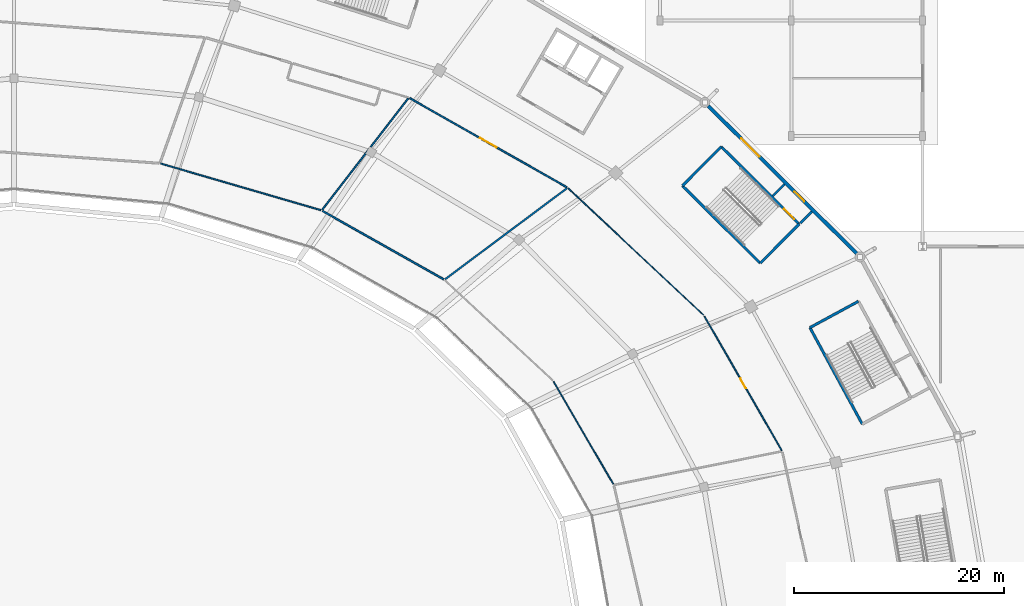
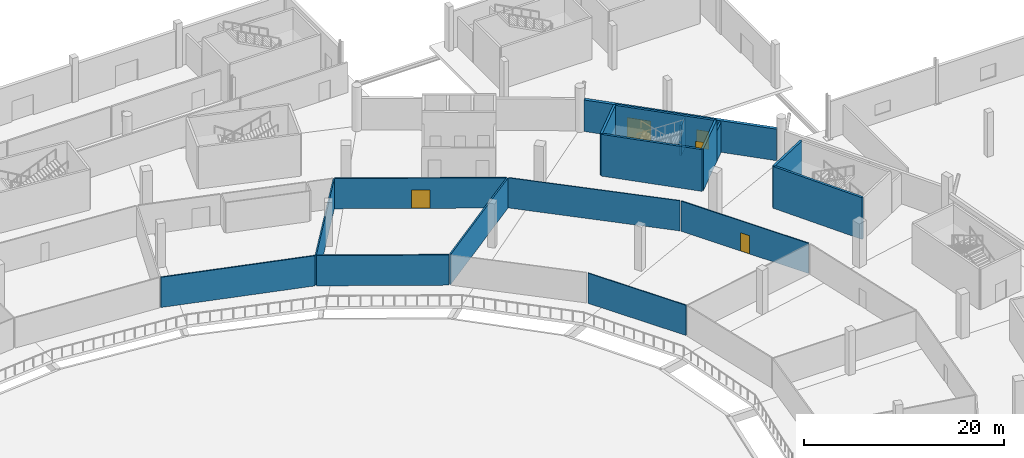
# One storey, part 47 of 82: 17 walls, 5 doors, 5 openings.
"""IFC4 building model written with IfcOpenShell, lengths in metres."""

from ifc_helpers import new_model, si_unit, direction, frame, frame_2d, origin, place, context, subcontext, project, spatial, rectangle, extrude, material, layer, layer_set, type_object, element, fill, save


model = new_model("IFC4")

# Units and contexts
model_context = context("Model", 3, precision=1e-05, world=origin(), true_north=direction((0.0, 1.0)))
body_context = subcontext(model_context, "Body", "Model", "MODEL_VIEW")
ifc_project = project(units=[si_unit("LENGTHUNIT", "METRE"), si_unit("AREAUNIT", "SQUARE_METRE"), si_unit("VOLUMEUNIT", "CUBIC_METRE"), si_unit("PLANEANGLEUNIT", "RADIAN"), si_unit("MASSUNIT", "GRAM", prefix="KILO")], contexts=[model_context])

# Site, building, storey
site_placement = place(None, origin())
site = spatial("IfcSite", under=ifc_project, at=site_placement, CompositionType="ELEMENT")
building_placement = place(site_placement, origin())
building = spatial("IfcBuilding", under=site, at=building_placement, Name="Zlatoyarsky Gate Stadium", CompositionType="ELEMENT")
storey_placement = place(building_placement, origin())
storey = spatial("IfcBuildingStorey", under=building, at=storey_placement, Name="L00", CompositionType="ELEMENT", Elevation=0.0)

# Wall
ifc_material_1 = material(Name="Double-stud acoustic gypsum partition", Category="gypsum")
ifc_layer_1 = layer(ifc_material_1, 0.169921875)
ifc_layer_set_1 = layer_set([ifc_layer_1], Name="Double-stud acoustic gypsum partition")
wall_type_1 = type_object("IfcWallType", Name="ACOUSTIC BROADCAST STUDIO WALL 170", PredefinedType="PARTITIONING", material=ifc_layer_set_1)
wall_1_placement = place(storey_placement, frame((152.0380859375, 113.369140625, 0.0), z_axis=(0.0, 0.0, 1.0), x_axis=(0.801214469287, 0.598377284165, 0.0)))
element("IfcWall", 1, at=wall_1_placement, inside=storey, type_object=wall_type_1, Name="L00 interior partition PRT-L00-IRD-03", PredefinedType="PARTITIONING", context=body_context, shape_type="SweptSolid", body=[
    extrude(rectangle(XDim=14.478515625, YDim=0.169921875, at=frame_2d((7.2392578125, 0.0))), origin(), (0.0, 0.0, 1.0), 3.68994140625),
])

# Wall, opening, door
ifc_material_2 = material(Name="Anodised aluminium acoustic operable wall", Category="aluminium")
ifc_layer_2 = layer(ifc_material_2, 0.114990234375)
ifc_layer_set_2 = layer_set([ifc_layer_2], Name="Anodised aluminium acoustic operable wall")
wall_type_2 = type_object("IfcWallType", Name="ACOUSTIC OPERABLE SUITE WALL 115", PredefinedType="MOVABLE", material=ifc_layer_set_2)
wall_2_placement = place(storey_placement, frame((184.08544921875, 97.0673828125, 0.0), z_axis=(0.0, 0.0, 1.0), x_axis=(-0.498943700715, 0.866634400146, 0.0)))
wall_2 = element("IfcWall", 2, at=wall_2_placement, inside=storey, type_object=wall_type_2, Name="L00 interior partition PRT-L00-ICC-01", PredefinedType="MOVABLE", context=body_context, shape_type="SweptSolid", body=[
    extrude(rectangle(XDim=14.731689453125, YDim=0.114990234375, at=frame_2d((7.36572265625, 0.0))), origin(), (0.0, 0.0, 1.0), 3.68994140625),
])
opening_1_placement = place(wall_2_placement, frame((6.825927734375, 0.0, 0.0)))
opening_1 = element("IfcOpeningElement", 3, at=opening_1_placement, cuts=wall_2, Name="Opening D-L00-108", PredefinedType="OPENING", context=body_context, shape_type="SweptSolid", body=[
    extrude(rectangle(XDim=1.080078125, YDim=2.239990234375, at=frame_2d((0.5400390625, 1.1201171875))), frame((0.0, 0.0673828125, 0.0), z_axis=(0.0, -1.0, 0.0), x_axis=(1.0, 0.0, 0.0)), (0.0, 0.0, 1.0), 0.135009765625),
])
ifc_material_3 = material(Name="Solid-core oak veneer acoustic door", Category="wood")
door_type_1 = type_object("IfcDoorType", Name="ACOUSTIC INTERIOR DOOR 1080X2240", OperationType="NOTDEFINED", PredefinedType="DOOR", material=ifc_material_3)
door_1_placement = place(opening_1_placement, origin())
door_1 = element("IfcDoor", 4, at=door_1_placement, inside=storey, type_object=door_type_1, Name="L00 room door D-L00-108", OperationType="SINGLE_SWING_RIGHT", OverallHeight=2.239990234375, OverallWidth=1.080078125, PredefinedType="DOOR", context=body_context, shape_type="SweptSolid", body=[
    extrude(rectangle(XDim=1.080078125, YDim=2.239990234375, at=frame_2d((0.5400390625, 1.1201171875))), frame((0.0, 0.02490234375, 0.0), z_axis=(0.0, -1.0, 0.0), x_axis=(1.0, 0.0, 0.0)), (0.0, 0.0, 1.0), 0.050048828125),
])
fill(opening_1, door_1)

# Wall
ifc_material_4 = material(Name="Moisture-resistant masonry partition", Category="masonry")
ifc_layer_3 = layer(ifc_material_4, 0.139892578125)
ifc_layer_set_3 = layer_set([ifc_layer_3], Name="Moisture-resistant masonry partition")
wall_type_3 = type_object("IfcWallType", Name="ATHLETE CHANGING BLOCK PARTITION 140", PredefinedType="PARTITIONING", material=ifc_layer_set_3)
wall_3_placement = place(storey_placement, frame((140.34130859375, 119.98681640625, 0.0), z_axis=(0.0, 0.0, 1.0), x_axis=(0.61155793071, 0.791199657094, 0.0)))
element("IfcWall", 5, at=wall_3_placement, inside=storey, type_object=wall_type_3, Name="L00 interior partition PRT-L00-IRD-04", PredefinedType="PARTITIONING", context=body_context, shape_type="SweptSolid", body=[
    extrude(rectangle(XDim=13.401611328125, YDim=0.139892578125, at=frame_2d((6.70068359375, 0.0))), origin(), (0.0, 0.0, 1.0), 3.68994140625),
])

# Wall, opening, door
ifc_material_5 = material(Name="Metal-stud gypsum partition", Category="gypsum")
ifc_layer_4 = layer(ifc_material_5, 0.14990234375)
ifc_layer_set_4 = layer_set([ifc_layer_4], Name="Metal-stud gypsum partition")
wall_type_4 = type_object("IfcWallType", Name="CONCOURSE CORRIDOR PARTITION 150", PredefinedType="PARTITIONING", material=ifc_layer_set_4)
wall_4_placement = place(storey_placement, frame((163.632568359375, 122.12548828125, 0.0), z_axis=(0.0, 0.0, 1.0), x_axis=(-0.869844043342, 0.493326808781, 0.0)))
wall_4 = element("IfcWall", 6, at=wall_4_placement, inside=storey, type_object=wall_type_4, Name="L00 interior partition PRT-L00-ICC-03", PredefinedType="PARTITIONING", context=body_context, shape_type="SweptSolid", body=[
    extrude(rectangle(XDim=17.209716796875, YDim=0.14990234375, at=frame_2d((8.60498046875, 0.0))), origin(), (0.0, 0.0, 1.0), 3.68994140625),
])
opening_2_placement = place(wall_4_placement, frame((7.69482421875, 0.0, 0.0)))
opening_2 = element("IfcOpeningElement", 7, at=opening_2_placement, cuts=wall_4, Name="Opening D-L00-112", PredefinedType="OPENING", context=body_context, shape_type="SweptSolid", body=[
    extrude(rectangle(XDim=1.820068359375, YDim=2.239990234375, at=frame_2d((0.91015625, 1.1201171875))), frame((0.0, 0.0849609375, 0.0), z_axis=(0.0, -1.0, 0.0), x_axis=(1.0, 0.0, 0.0)), (0.0, 0.0, 1.0), 0.169921875),
])
ifc_material_6 = material(Name="Powder-coated steel fire door", Category="steel")
door_type_2 = type_object("IfcDoorType", Name="ACOUSTIC INTERIOR DOOR 1820X2240", OperationType="NOTDEFINED", PredefinedType="DOOR", material=ifc_material_6)
door_2_placement = place(opening_2_placement, origin())
door_2 = element("IfcDoor", 8, at=door_2_placement, inside=storey, type_object=door_type_2, Name="L00 room door D-L00-112", OperationType="SINGLE_SWING_LEFT", OverallHeight=2.239990234375, OverallWidth=1.820068359375, PredefinedType="DOOR", context=body_context, shape_type="SweptSolid", body=[
    extrude(rectangle(XDim=1.820068359375, YDim=2.239990234375, at=frame_2d((0.91015625, 1.1201171875))), frame((0.0, 0.02490234375, 0.0), z_axis=(0.0, -1.0, 0.0), x_axis=(1.0, 0.0, 0.0)), (0.0, 0.0, 1.0), 0.050048828125),
])
fill(opening_2, door_2)

# Wall
ifc_material_7 = material(Name="Concrete C40/50", Category="concrete")
ifc_layer_5 = layer(ifc_material_7, 0.25)
ifc_layer_set_5 = layer_set([ifc_layer_5], Name="Concrete C40/50")
wall_type_5 = type_object("IfcWallType", Name="CONCRETE STAIR CORE SHEAR WALL 250", PredefinedType="SHEAR", material=ifc_layer_set_5)
wall_5_placement = place(storey_placement, frame((182.038818359375, 114.89794921875, 0.0), z_axis=(0.0, 0.0, 1.0), x_axis=(0.705314141126, 0.708894888067, 0.0)))
element("IfcWall", 9, at=wall_5_placement, inside=storey, type_object=wall_type_5, Name="ST-02 L00 stair core entrance shear wall", PredefinedType="SHEAR", context=body_context, shape_type="SweptSolid", body=[
    extrude(rectangle(XDim=5.25, YDim=0.25, at=frame_2d((2.625, 0.0))), origin(), (0.0, 0.0, 1.0), 5.10009765625),
])

# Wall, opening, door
wall_6_placement = place(storey_placement, frame((185.74169921875, 118.61962890625, 0.0), z_axis=(0.0, 0.0, 1.0), x_axis=(-0.708891762409, 0.705317282639, 0.0)))
wall_6 = element("IfcWall", 10, at=wall_6_placement, inside=storey, type_object=wall_type_5, Name="ST-02 L00 stair core left shear wall", PredefinedType="SHEAR", context=body_context, shape_type="SweptSolid", body=[
    extrude(rectangle(XDim=10.449951171875, YDim=0.25, at=frame_2d((5.22509765625, 0.0))), origin(), (0.0, 0.0, 1.0), 5.10009765625),
])
opening_3_placement = place(wall_6_placement, frame((0.64990234375, 0.0, 0.0)))
opening_3 = element("IfcOpeningElement", 11, at=opening_3_placement, cuts=wall_6, Name="Opening SD-ST-02-L00", PredefinedType="OPENING", context=body_context, shape_type="SweptSolid", body=[
    extrude(rectangle(XDim=1.39990234375, YDim=2.199951171875, at=frame_2d((0.699951171875, 1.10009765625))), frame((0.0, 0.135009765625, 0.0), z_axis=(0.0, -1.0, 0.0), x_axis=(1.0, 0.0, 0.0)), (0.0, 0.0, 1.0), 0.27001953125),
])
door_type_3 = type_object("IfcDoorType", Name="STAIR CORE FIRE EXIT DOOR 1400X2200", OperationType="NOTDEFINED", PredefinedType="DOOR", material=ifc_material_6)
door_3_placement = place(opening_3_placement, frame((1.39990234375, 0.0, 0.0), z_axis=(0.0, 0.0, 1.0), x_axis=(-1.0, 0.0, 0.0)))
door_3 = element("IfcDoor", 12, at=door_3_placement, inside=storey, type_object=door_type_3, Name="ST-02 L00 protected exit discharge fire door", OperationType="SINGLE_SWING_RIGHT", OverallHeight=2.199951171875, OverallWidth=1.39990234375, PredefinedType="DOOR", context=body_context, shape_type="SweptSolid", body=[
    extrude(rectangle(XDim=1.39990234375, YDim=2.199951171875, at=frame_2d((0.699951171875, 1.10009765625))), frame((0.0, 0.02490234375, 0.0), z_axis=(0.0, -1.0, 0.0), x_axis=(1.0, 0.0, 0.0)), (0.0, 0.0, 1.0), 0.050048828125),
])
fill(opening_3, door_3)

# Walls
wall_7_placement = place(storey_placement, frame((178.333740234375, 125.990234375, 0.0), z_axis=(0.0, 0.0, 1.0), x_axis=(-0.705314141126, -0.708894888067, 0.0)))
element("IfcWall", 13, at=wall_7_placement, inside=storey, type_object=wall_type_5, Name="ST-02 L00 stair core far shear wall", PredefinedType="SHEAR", context=body_context, shape_type="SweptSolid", body=[
    extrude(rectangle(XDim=5.25, YDim=0.25, at=frame_2d((2.625, 0.0))), origin(), (0.0, 0.0, 1.0), 5.10009765625),
])
wall_8_placement = place(storey_placement, frame((174.630859375, 122.2685546875, 0.0), z_axis=(0.0, 0.0, 1.0), x_axis=(0.708891762409, -0.705317282639, 0.0)))
element("IfcWall", 14, at=wall_8_placement, inside=storey, type_object=wall_type_5, Name="ST-02 L00 stair core right shear wall", PredefinedType="SHEAR", context=body_context, shape_type="SweptSolid", body=[
    extrude(rectangle(XDim=10.449951171875, YDim=0.25, at=frame_2d((5.22509765625, 0.0))), origin(), (0.0, 0.0, 1.0), 5.10009765625),
])
wall_9_placement = place(storey_placement, frame((191.384765625, 111.268798828125, 0.0), z_axis=(0.0, 0.0, 1.0), x_axis=(-0.878961487093, -0.47689275965, 0.0)))
element("IfcWall", 15, at=wall_9_placement, inside=storey, type_object=wall_type_5, Name="ST-13 L00 stair core far shear wall", PredefinedType="SHEAR", context=body_context, shape_type="SweptSolid", body=[
    extrude(rectangle(XDim=5.25, YDim=0.25, at=frame_2d((2.625, 0.0))), origin(), (0.0, 0.0, 1.0), 5.10009765625),
])
wall_10_placement = place(storey_placement, frame((186.770263671875, 108.76513671875, 0.0), z_axis=(0.0, 0.0, 1.0), x_axis=(0.476876856974, -0.878970115125, 0.0)))
element("IfcWall", 16, at=wall_10_placement, inside=storey, type_object=wall_type_5, Name="ST-13 L00 stair core right shear wall", PredefinedType="SHEAR", context=body_context, shape_type="SweptSolid", body=[
    extrude(rectangle(XDim=10.4501953125, YDim=0.25, at=frame_2d((5.22509765625, 0.0))), origin(), (0.0, 0.0, 1.0), 5.10009765625),
])
ifc_material_8 = material(Name="Autoclaved aerated concrete masonry EI 120", Category="masonry")
ifc_layer_6 = layer(ifc_material_8, 0.219970703125)
ifc_layer_set_6 = layer_set([ifc_layer_6], Name="Autoclaved aerated concrete masonry EI 120")
wall_type_6 = type_object("IfcWallType", Name="FIREFIGHTING LOBBY RATED WALL 220", PredefinedType="PARTITIONING", material=ifc_layer_set_6)
wall_11_placement = place(storey_placement, frame((185.84765625, 118.704833984375, 0.0), z_axis=(0.0, 0.0, 1.0), x_axis=(0.705308431296, 0.70890056901, 0.0)))
element("IfcWall", 17, at=wall_11_placement, inside=storey, type_object=wall_type_6, Name="ST-02 L00 protected exit lobby EI 120 wall 1", PredefinedType="PARTITIONING", context=body_context, shape_type="SweptSolid", body=[
    extrude(rectangle(XDim=1.563232421875, YDim=0.219970703125, at=frame_2d((0.78173828125, 0.0))), origin(), (0.0, 0.0, 1.0), 3.68994140625),
])
wall_12_placement = place(storey_placement, frame((183.23876953125, 121.30029296875, 0.0), z_axis=(0.0, 0.0, 1.0), x_axis=(0.70523034672, 0.70897824936, 0.0)))
element("IfcWall", 18, at=wall_12_placement, inside=storey, type_object=wall_type_6, Name="ST-02 L00 protected exit lobby EI 120 wall 2", PredefinedType="PARTITIONING", context=body_context, shape_type="SweptSolid", body=[
    extrude(rectangle(XDim=1.5634765625, YDim=0.219970703125, at=frame_2d((0.78173828125, 0.0))), origin(), (0.0, 0.0, 1.0), 3.68994140625),
])
ifc_material_9 = material(Name="Timber-veneered acoustic operable partition", Category="wood")
ifc_layer_7 = layer(ifc_material_9, 0.094970703125)
ifc_layer_set_7 = layer_set([ifc_layer_7], Name="Timber-veneered acoustic operable partition")
wall_type_7 = type_object("IfcWallType", Name="FOLDING BANQUET SALON WALL 95", PredefinedType="MOVABLE", material=ifc_layer_set_7)
wall_13_placement = place(storey_placement, frame((176.630615234375, 109.96630859375, 0.0), z_axis=(0.0, 0.0, 1.0), x_axis=(-0.729511725948, 0.683968304605, 0.0)))
element("IfcWall", 19, at=wall_13_placement, inside=storey, type_object=wall_type_7, Name="L00 interior partition PRT-L00-ICC-02M", PredefinedType="MOVABLE", context=body_context, shape_type="SweptSolid", body=[
    extrude(rectangle(XDim=17.631103515625, YDim=0.094970703125, at=frame_2d((8.8154296875, 0.0))), origin(), (0.0, 0.0, 1.0), 3.68994140625),
])
ifc_material_10 = material(Name="Acoustic metal-stud gypsum partition", Category="gypsum")
ifc_layer_8 = layer(ifc_material_10, 0.159912109375)
ifc_layer_set_8 = layer_set([ifc_layer_8], Name="Acoustic metal-stud gypsum partition")
wall_type_8 = type_object("IfcWallType", Name="HOSPITALITY SUITE PARTITION 160", PredefinedType="PARTITIONING", material=ifc_layer_set_8)
wall_14_placement = place(storey_placement, frame((151.89599609375, 113.360107421875, 0.0), z_axis=(0.0, 0.0, 1.0), x_axis=(-0.870592356703, 0.492005028887, 0.0)))
element("IfcWall", 20, at=wall_14_placement, inside=storey, type_object=wall_type_8, Name="L00 interior partition PRT-L00-IRN-03", PredefinedType="PARTITIONING", context=body_context, shape_type="SweptSolid", body=[
    extrude(rectangle(XDim=13.2470703125, YDim=0.159912109375, at=frame_2d((6.62353515625, 0.0))), origin(), (0.0, 0.0, 1.0), 3.68994140625),
])
ifc_layer_9 = layer(ifc_material_5, 0.110107421875)
ifc_layer_set_9 = layer_set([ifc_layer_9], Name="Metal-stud gypsum partition")
wall_type_9 = type_object("IfcWallType", Name="KIOSK SERVICE PARTITION 110", PredefinedType="PARTITIONING", material=ifc_layer_set_9)
wall_15_placement = place(storey_placement, frame((168.053955078125, 93.859619140625, 0.0), z_axis=(0.0, 0.0, 1.0), x_axis=(-0.503217451953, 0.864159820895, 0.0)))
element("IfcWall", 21, at=wall_15_placement, inside=storey, type_object=wall_type_9, Name="L00 interior partition PRT-L00-IRN-01", PredefinedType="PARTITIONING", context=body_context, shape_type="SweptSolid", body=[
    extrude(rectangle(XDim=11.3134765625, YDim=0.110107421875, at=frame_2d((5.65673828125, 0.0))), origin(), (0.0, 0.0, 1.0), 3.68994140625),
])

# Wall, openings, doors
ifc_material_11 = material(Name="Limestone-faced insulated masonry wall", Category="masonry")
ifc_layer_10 = layer(ifc_material_11, 0.340087890625)
ifc_layer_set_10 = layer_set([ifc_layer_10], Name="Limestone-faced insulated masonry wall")
wall_type_10 = type_object("IfcWallType", Name="LIMESTONE GATE PLINTH WALL 340", PredefinedType="STANDARD", material=ifc_layer_set_10)
wall_16_placement = place(storey_placement, frame((191.21435546875, 115.824462890625, 0.0), z_axis=(0.0, 0.0, 1.0), x_axis=(-0.708905356977, 0.705303618911, 0.0)))
wall_16 = element("IfcWall", 22, at=wall_16_placement, inside=storey, type_object=wall_type_10, Name="L00 bowl exterior plinth wall sector 02", PredefinedType="STANDARD", context=body_context, shape_type="SweptSolid", body=[
    extrude(rectangle(XDim=19.928466796875, YDim=0.340087890625, at=frame_2d((9.96435546875, 0.0))), origin(), (0.0, 0.0, 1.0), 3.85009765625),
])
opening_4_placement = place(wall_16_placement, frame((7.026123046875, 0.0, 0.0)))
opening_4 = element("IfcOpeningElement", 23, at=opening_4_placement, cuts=wall_16, Name="Opening ED-ST02", PredefinedType="OPENING", context=body_context, shape_type="SweptSolid", body=[
    extrude(rectangle(XDim=1.300048828125, YDim=2.199951171875, at=frame_2d((0.64990234375, 1.10009765625))), frame((0.0, 0.179931640625, 0.0), z_axis=(0.0, -1.0, 0.0), x_axis=(1.0, 0.0, 0.0)), (0.0, 0.0, 1.0), 0.360107421875),
])
opening_5_placement = place(wall_16_placement, frame((13.04736328125, 0.0, 0.0)))
opening_5 = element("IfcOpeningElement", 24, at=opening_5_placement, cuts=wall_16, Name="Opening G02", PredefinedType="OPENING", context=body_context, shape_type="SweptSolid", body=[
    extrude(rectangle(XDim=2.449951171875, YDim=2.39990234375, at=frame_2d((1.22509765625, 1.199951171875))), frame((0.0, 0.179931640625, 0.0), z_axis=(0.0, -1.0, 0.0), x_axis=(1.0, 0.0, 0.0)), (0.0, 0.0, 1.0), 0.360107421875),
])
ifc_material_12 = material(Name="Thermally broken powder-coated steel and laminated safety glass", Category="steel")
door_type_4 = type_object("IfcDoorType", Name="PEDESTRIAN FINAL EXIT DOUBLE DOOR 2450X2400", OperationType="DOUBLE_DOOR_SINGLE_SWING", PredefinedType="DOOR", material=ifc_material_12)
door_4_placement = place(opening_5_placement, frame((2.449951171875, 0.0, 0.0), z_axis=(0.0, 0.0, 1.0), x_axis=(-1.0, 0.0, 0.0)))
door_4 = element("IfcDoor", 25, at=door_4_placement, inside=storey, type_object=door_type_4, Name="Pedestrian exit gate G02", OperationType="DOUBLE_DOOR_SINGLE_SWING", OverallHeight=2.39990234375, OverallWidth=2.449951171875, PredefinedType="DOOR", context=body_context, shape_type="SweptSolid", body=[
    extrude(rectangle(XDim=2.449951171875, YDim=2.39990234375, at=frame_2d((1.22509765625, 1.199951171875))), frame((0.0, 0.02490234375, 0.0), z_axis=(0.0, -1.0, 0.0), x_axis=(1.0, 0.0, 0.0)), (0.0, 0.0, 1.0), 0.050048828125),
])
fill(opening_5, door_4)
door_type_5 = type_object("IfcDoorType", Name="STAIR DISCHARGE FIRE EXIT DOOR 1300X2200", OperationType="NOTDEFINED", PredefinedType="DOOR", material=ifc_material_12)
door_5_placement = place(opening_4_placement, frame((1.300048828125, 0.0, 0.0), z_axis=(0.0, 0.0, 1.0), x_axis=(-1.0, 0.0, 0.0)))
door_5 = element("IfcDoor", 26, at=door_5_placement, inside=storey, type_object=door_type_5, Name="Stair discharge fire exit door ED-ST02", OperationType="SINGLE_SWING_RIGHT", OverallHeight=2.199951171875, OverallWidth=1.300048828125, PredefinedType="DOOR", context=body_context, shape_type="SweptSolid", body=[
    extrude(rectangle(XDim=1.300048828125, YDim=2.199951171875, at=frame_2d((0.64990234375, 1.10009765625))), frame((0.0, 0.02490234375, 0.0), z_axis=(0.0, -1.0, 0.0), x_axis=(1.0, 0.0, 0.0)), (0.0, 0.0, 1.0), 0.050048828125),
])
fill(opening_4, door_5)

# Wall
ifc_material_13 = material(Name="Moisture-resistant tile-backed partition", Category="gypsum")
ifc_layer_11 = layer(ifc_material_13, 0.1298828125)
ifc_layer_set_11 = layer_set([ifc_layer_11], Name="Moisture-resistant tile-backed partition")
wall_type_11 = type_object("IfcWallType", Name="SANITARY WET ROOM PARTITION 130", PredefinedType="PARTITIONING", material=ifc_layer_set_11)
wall_17_placement = place(storey_placement, frame((140.207763671875, 119.943359375, 0.0), z_axis=(0.0, 0.0, 1.0), x_axis=(-0.960040994117, 0.279859410446, 0.0)))
element("IfcWall", 27, at=wall_17_placement, inside=storey, type_object=wall_type_11, Name="L00 interior partition PRT-L00-IRN-04", PredefinedType="PARTITIONING", context=body_context, shape_type="SweptSolid", body=[
    extrude(rectangle(XDim=15.87109375, YDim=0.1298828125, at=frame_2d((7.935546875, 0.0))), origin(), (0.0, 0.0, 1.0), 3.68994140625),
])

save(model, "model.ifc")
